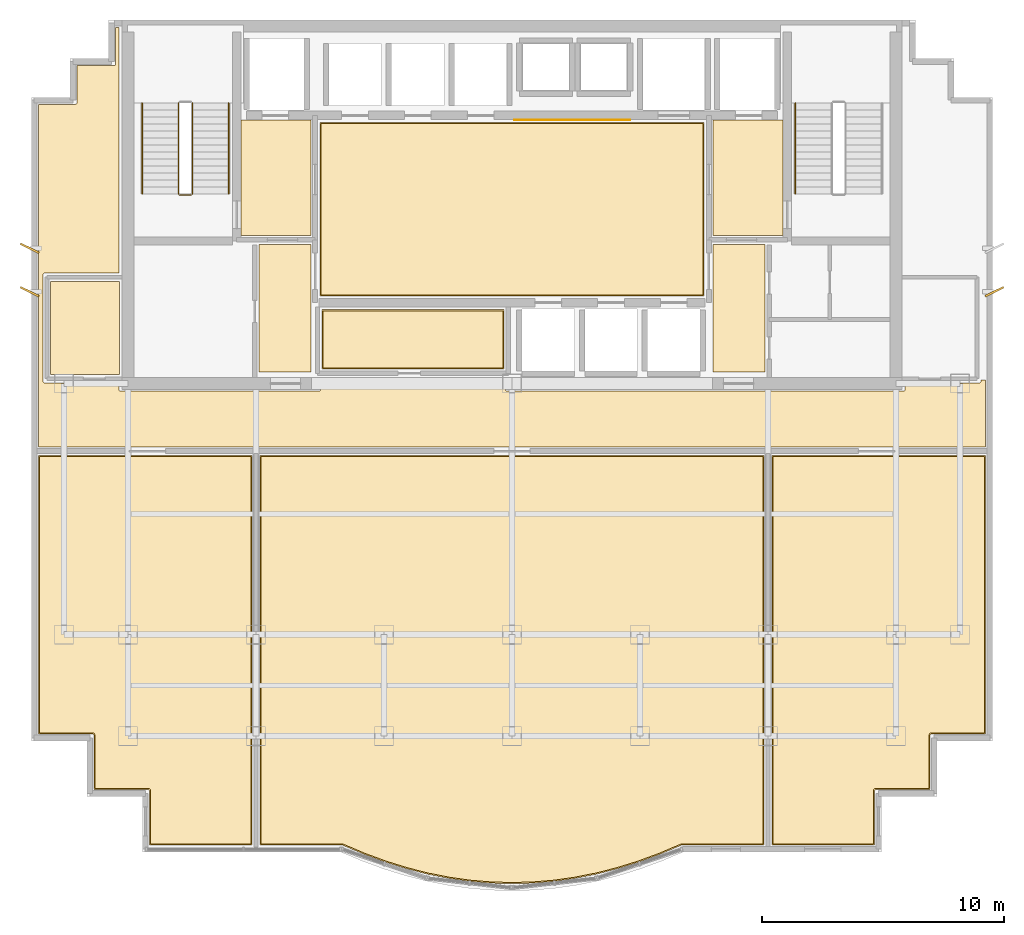
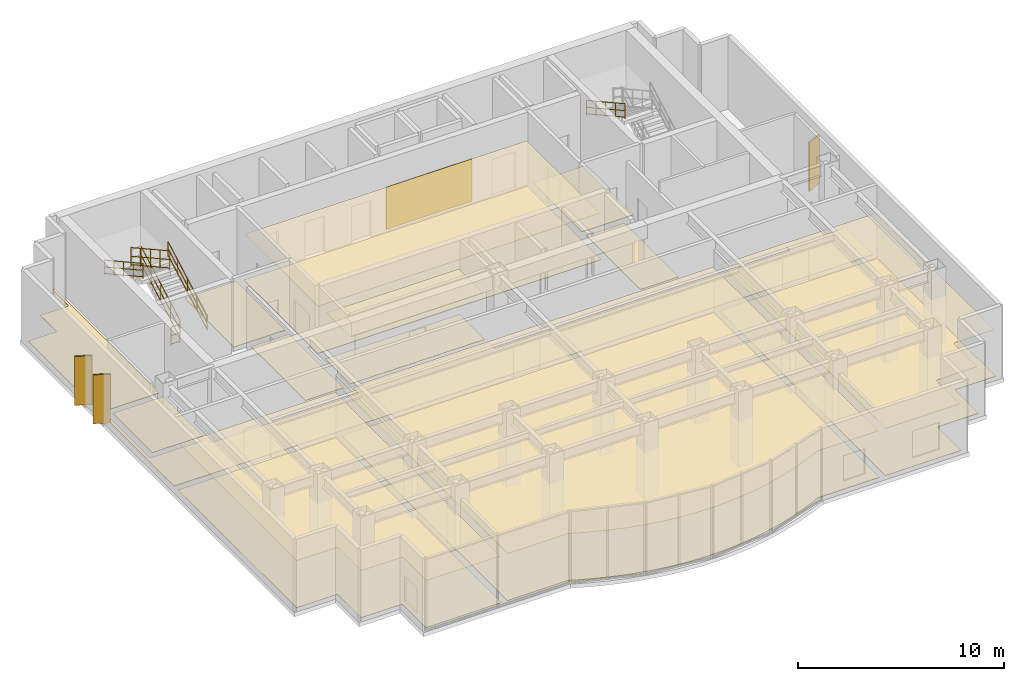
# One storey, part 7 of 8: 17 coverings, 6 railings, 3 shading devices.
"""IFC4 building model written with IfcOpenShell, lengths in metres."""

from ifc_helpers import new_model, si_unit, direction, frame, origin, origin_2d, place, context, subcontext, project, spatial, polyline, rectangle, circle, outline, extrude, source, transform, mapped, material, layer, layer_set, type_object, element, save


model = new_model("IFC4")

# Units and contexts
model_context = context("Model", 3, precision=1e-05, world=origin(), true_north=direction((0.0, 1.0)))
body_context = subcontext(model_context, "Body", "Model", "MODEL_VIEW")
ifc_project = project(units=[si_unit("LENGTHUNIT", "METRE"), si_unit("AREAUNIT", "SQUARE_METRE"), si_unit("VOLUMEUNIT", "CUBIC_METRE"), si_unit("PLANEANGLEUNIT", "RADIAN"), si_unit("MASSUNIT", "GRAM", prefix="KILO")], contexts=[model_context])

# Site, building, storey
site_placement = place(None, origin())
site = spatial("IfcSite", under=ifc_project, at=site_placement, CompositionType="ELEMENT")
building_placement = place(site_placement, origin())
building = spatial("IfcBuilding", under=site, at=building_placement, Name="Qianlan Lanfeng Residences", CompositionType="ELEMENT")
storey_placement = place(building_placement, frame((0.0, 0.0, 192.199951171875)))
storey = spatial("IfcBuildingStorey", under=building, at=storey_placement, Name="L52", CompositionType="ELEMENT", Elevation=192.199951171875)

# Coverings
ifc_material_1 = material(Name="Anodised Bronze Feature Wall Cladding")
ifc_layer_1 = layer(ifc_material_1, 0.02490234375)
ifc_layer_set_1 = layer_set([ifc_layer_1], Name="Anodised Bronze Feature Wall Cladding")
covering_type_1 = type_object("IfcCoveringType", Name="CLD-BRZ-25", PredefinedType="CLADDING", material=ifc_layer_set_1)
covering_1_placement = place(storey_placement, frame((0.0, 0.0, 0.150146484375)))
element("IfcCovering", 1, at=covering_1_placement, inside=storey, type_object=covering_type_1, Name="L52 Lift Lobby Bronze Feature Cladding", PredefinedType="CLADDING", context=body_context, shape_type="SweptSolid", body=[
    extrude(outline(polyline([(26.60009765625, 36.10009765625), (31.39990234375, 36.10009765625), (31.39990234375, 36.125), (26.60009765625, 36.125), (26.60009765625, 36.10009765625)])), origin(), (0.0, 0.0, 1.0), 2.5),
])
ifc_material_2 = material(Name="Acoustic Perforated Gypsum Ceiling Board")
ifc_layer_2 = layer(ifc_material_2, 0.02001953125)
ifc_layer_set_2 = layer_set([ifc_layer_2], Name="Acoustic Perforated Gypsum Ceiling Board")
covering_type_2 = type_object("IfcCoveringType", Name="CLG-GYP-15", PredefinedType="CEILING", material=ifc_layer_set_2)
covering_2_placement = place(storey_placement, frame((0.0, 0.0, 2.75)))
element("IfcCovering", 2, at=covering_2_placement, inside=storey, type_object=covering_type_2, Name="L52 Lift Lobby Suspended Ceiling", PredefinedType="CEILING", context=body_context, shape_type="SweptSolid", body=[
    extrude(outline(polyline([(18.60009765625, 28.8701171875), (34.39990234375, 28.8701171875), (34.39990234375, 35.9599609375), (18.60009765625, 35.9599609375), (18.60009765625, 28.8701171875)])), origin(), (0.0, 0.0, 1.0), 0.02001953125),
])
covering_3_placement = place(storey_placement, frame((0.0, 0.0, 2.75)))
element("IfcCovering", 3, at=covering_3_placement, inside=storey, type_object=covering_type_2, Name="L52 Resident Reading Lounge Suspended Ceiling", PredefinedType="CEILING", context=body_context, shape_type="SweptSolid", body=[
    extrude(outline(polyline([(18.679931640625, 25.85009765625), (26.1201171875, 25.85009765625), (26.1201171875, 28.205078125), (18.679931640625, 28.205078125), (18.679931640625, 25.85009765625)])), origin(), (0.0, 0.0, 1.0), 0.02001953125),
])
covering_4_placement = place(storey_placement, frame((0.0, 0.0, 2.75)))
element("IfcCovering", 4, at=covering_4_placement, inside=storey, type_object=covering_type_2, Name="L52 Executive Wine Salon Suspended Ceiling", PredefinedType="CEILING", context=body_context, shape_type="SweptSolid", body=[
    extrude(outline(polyline([(15.68994140625, 22.169921875), (6.93994140625, 22.169921875), (6.93994140625, 10.739990234375), (9.1201171875, 10.739990234375), (9.132080078125, 10.739013671875), (9.14306640625, 10.738037109375), (9.155029296875, 10.735107421875), (9.166015625, 10.73095703125), (9.177001953125, 10.72607421875), (9.18701171875, 10.719970703125), (9.196044921875, 10.712890625), (9.205078125, 10.705078125), (9.212890625, 10.696044921875), (9.219970703125, 10.68701171875), (9.22607421875, 10.677001953125), (9.23095703125, 10.666015625), (9.235107421875, 10.655029296875), (9.238037109375, 10.64306640625), (9.239013671875, 10.632080078125), (9.239990234375, 10.6201171875), (9.239990234375, 8.43994140625), (11.419921875, 8.43994140625), (11.431884765625, 8.43896484375), (11.443115234375, 8.43798828125), (11.455078125, 8.43505859375), (11.466064453125, 8.430908203125), (11.47705078125, 8.426025390625), (11.487060546875, 8.419921875), (11.49609375, 8.4130859375), (11.5048828125, 8.405029296875), (11.512939453125, 8.39599609375), (11.52001953125, 8.386962890625), (11.52587890625, 8.376953125), (11.531005859375, 8.365966796875), (11.534912109375, 8.35498046875), (11.5380859375, 8.343017578125), (11.5390625, 8.33203125), (11.5400390625, 8.320068359375), (11.5400390625, 6.139892578125), (15.68994140625, 6.139892578125), (15.68994140625, 22.169921875)])), origin(), (0.0, 0.0, 1.0), 0.02001953125),
])
covering_5_placement = place(storey_placement, frame((0.0, 0.0, 2.75)))
element("IfcCovering", 5, at=covering_5_placement, inside=storey, type_object=covering_type_2, Name="L52 Harbour Viewing Lounge Suspended Ceiling", PredefinedType="CEILING", context=body_context, shape_type="SweptSolid", body=[
    extrude(outline(polyline([(16.110107421875, 22.169921875), (16.110107421875, 6.139892578125), (19.465087890625, 6.139892578125), (19.47705078125, 6.138916015625), (19.489013671875, 6.137939453125), (19.5, 6.135009765625), (19.511962890625, 6.1298828125), (20.429931640625, 5.740966796875), (21.299072265625, 5.422119140625), (22.1669921875, 5.152099609375), (23.034912109375, 4.931884765625), (23.902099609375, 4.760009765625), (24.76806640625, 4.637939453125), (25.634033203125, 4.56494140625), (26.5, 4.5400390625), (27.365966796875, 4.56494140625), (28.23193359375, 4.637939453125), (29.097900390625, 4.760009765625), (29.965087890625, 4.931884765625), (30.8330078125, 5.152099609375), (31.700927734375, 5.422119140625), (32.570068359375, 5.740966796875), (33.488037109375, 6.1298828125), (33.5, 6.135009765625), (33.510986328125, 6.137939453125), (33.52294921875, 6.138916015625), (33.534912109375, 6.139892578125), (36.889892578125, 6.139892578125), (36.889892578125, 22.169921875), (16.110107421875, 22.169921875)])), origin(), (0.0, 0.0, 1.0), 0.02001953125),
])
covering_6_placement = place(storey_placement, frame((0.0, 0.0, 2.75)))
element("IfcCovering", 6, at=covering_6_placement, inside=storey, type_object=covering_type_2, Name="L52 Conservatory Salon Suspended Ceiling", PredefinedType="CEILING", context=body_context, shape_type="SweptSolid", body=[
    extrude(outline(polyline([(37.31005859375, 22.169921875), (37.31005859375, 6.139892578125), (41.4599609375, 6.139892578125), (41.4599609375, 8.320068359375), (41.4609375, 8.33203125), (41.4619140625, 8.343017578125), (41.465087890625, 8.35498046875), (41.468994140625, 8.365966796875), (41.47412109375, 8.376953125), (41.47998046875, 8.386962890625), (41.487060546875, 8.39599609375), (41.4951171875, 8.405029296875), (41.50390625, 8.4130859375), (41.512939453125, 8.419921875), (41.52294921875, 8.426025390625), (41.533935546875, 8.430908203125), (41.544921875, 8.43505859375), (41.556884765625, 8.43798828125), (41.568115234375, 8.43896484375), (41.580078125, 8.43994140625), (43.760009765625, 8.43994140625), (43.760009765625, 10.6201171875), (43.760986328125, 10.632080078125), (43.761962890625, 10.64306640625), (43.764892578125, 10.655029296875), (43.76904296875, 10.666015625), (43.77392578125, 10.677001953125), (43.780029296875, 10.68701171875), (43.787109375, 10.696044921875), (43.794921875, 10.705078125), (43.803955078125, 10.712890625), (43.81298828125, 10.719970703125), (43.822998046875, 10.72607421875), (43.833984375, 10.73095703125), (43.844970703125, 10.735107421875), (43.85693359375, 10.738037109375), (43.867919921875, 10.739013671875), (43.8798828125, 10.739990234375), (46.06005859375, 10.739990234375), (46.06005859375, 22.169921875), (37.31005859375, 22.169921875)])), origin(), (0.0, 0.0, 1.0), 0.02001953125),
])
ifc_material_3 = material(Name="Honed Taitung Granite Stone Flooring", Category="masonry")
ifc_layer_3 = layer(ifc_material_3, 0.030029296875)
ifc_layer_set_3 = layer_set([ifc_layer_3], Name="Honed Taitung Granite Stone Flooring")
covering_type_3 = type_object("IfcCoveringType", Name="FLR-STN-30", PredefinedType="FLOORING", material=ifc_layer_set_3)
covering_7_placement = place(storey_placement, origin())
element("IfcCovering", 7, at=covering_7_placement, inside=storey, type_object=covering_type_3, Name="L52 Firefighting Lift Lobby Floor Finish", PredefinedType="FLOORING", context=body_context, shape_type="SweptSolid", body=[
    extrude(outline(polyline([(15.2900390625, 31.320068359375), (18.179931640625, 31.320068359375), (18.179931640625, 36.110107421875), (15.2900390625, 36.110107421875), (15.2900390625, 31.320068359375)])), origin(), (0.0, 0.0, 1.0), 0.030029296875),
])
covering_8_placement = place(storey_placement, origin())
element("IfcCovering", 8, at=covering_8_placement, inside=storey, type_object=covering_type_3, Name="L52 Firefighting Lift Lobby Floor Finish", PredefinedType="FLOORING", context=body_context, shape_type="SweptSolid", body=[
    extrude(outline(polyline([(34.820068359375, 31.320068359375), (37.7099609375, 31.320068359375), (37.7099609375, 36.110107421875), (34.820068359375, 36.110107421875), (34.820068359375, 31.320068359375)])), origin(), (0.0, 0.0, 1.0), 0.030029296875),
])
covering_9_placement = place(storey_placement, origin())
element("IfcCovering", 9, at=covering_9_placement, inside=storey, type_object=covering_type_3, Name="L52 Lift Lobby Floor Finish", PredefinedType="FLOORING", context=body_context, shape_type="SweptSolid", body=[
    extrude(outline(polyline([(18.550048828125, 28.820068359375), (34.449951171875, 28.820068359375), (34.449951171875, 36.010009765625), (18.550048828125, 36.010009765625), (18.550048828125, 28.820068359375)])), origin(), (0.0, 0.0, 1.0), 0.030029296875),
])
covering_10_placement = place(storey_placement, origin())
element("IfcCovering", 10, at=covering_10_placement, inside=storey, type_object=covering_type_3, Name="L52 Harbour Viewing Lounge Floor Finish", PredefinedType="FLOORING", context=body_context, shape_type="SweptSolid", body=[
    extrude(outline(polyline([(16.06005859375, 22.219970703125), (16.06005859375, 6.090087890625), (19.465087890625, 6.090087890625), (19.471923828125, 6.090087890625), (19.47900390625, 6.089111328125), (19.485107421875, 6.0869140625), (19.491943359375, 6.083984375), (20.412109375, 5.695068359375), (21.282958984375, 5.375), (22.154052734375, 5.10400390625), (23.02392578125, 4.883056640625), (23.89306640625, 4.7109375), (24.762939453125, 4.587890625), (25.631103515625, 4.514892578125), (26.5, 4.489990234375), (27.368896484375, 4.514892578125), (28.237060546875, 4.587890625), (29.10693359375, 4.7109375), (29.97607421875, 4.883056640625), (30.845947265625, 5.10400390625), (31.717041015625, 5.375), (32.587890625, 5.695068359375), (33.508056640625, 6.083984375), (33.514892578125, 6.0869140625), (33.52099609375, 6.089111328125), (33.528076171875, 6.090087890625), (33.534912109375, 6.090087890625), (36.93994140625, 6.090087890625), (36.93994140625, 22.219970703125), (16.06005859375, 22.219970703125)])), origin(), (0.0, 0.0, 1.0), 0.030029296875),
])
covering_11_placement = place(storey_placement, origin())
element("IfcCovering", 11, at=covering_11_placement, inside=storey, type_object=covering_type_3, Name="L52 Sky Transfer Lobby Floor Finish", PredefinedType="FLOORING", context=body_context, shape_type="SweptSolid", body=[
    extrude(outline(polyline([(46.110107421875, 25.35009765625), (45.919921875, 25.35009765625), (45.919921875, 25.300048828125), (45.919921875, 25.29296875), (45.9189453125, 25.285888671875), (45.9169921875, 25.280029296875), (45.9150390625, 25.27294921875), (45.912109375, 25.26708984375), (45.907958984375, 25.260986328125), (45.904052734375, 25.256103515625), (45.89892578125, 25.2509765625), (45.89404296875, 25.24609375), (45.888916015625, 25.241943359375), (45.883056640625, 25.238037109375), (45.876953125, 25.235107421875), (45.8701171875, 25.23291015625), (45.864013671875, 25.23095703125), (45.85693359375, 25.22998046875), (45.85009765625, 25.22998046875), (42.77001953125, 25.22998046875), (42.77001953125, 24.949951171875), (42.77001953125, 24.943115234375), (42.76904296875, 24.93603515625), (42.76708984375, 24.929931640625), (42.764892578125, 24.923095703125), (42.761962890625, 24.9169921875), (42.758056640625, 24.910888671875), (42.75390625, 24.906005859375), (42.7490234375, 24.90087890625), (42.743896484375, 24.89599609375), (42.739013671875, 24.89208984375), (42.73291015625, 24.887939453125), (42.72705078125, 24.885009765625), (42.719970703125, 24.883056640625), (42.714111328125, 24.881103515625), (42.70703125, 24.8798828125), (42.699951171875, 24.8798828125), (26.300048828125, 24.8798828125), (26.29296875, 24.8798828125), (26.285888671875, 24.881103515625), (26.280029296875, 24.883056640625), (26.27294921875, 24.885009765625), (26.26708984375, 24.887939453125), (26.260986328125, 24.89208984375), (26.256103515625, 24.89599609375), (26.2509765625, 24.90087890625), (26.24609375, 24.906005859375), (26.241943359375, 24.910888671875), (26.238037109375, 24.9169921875), (26.235107421875, 24.923095703125), (26.23291015625, 24.929931640625), (26.23095703125, 24.93603515625), (26.22998046875, 24.943115234375), (26.22998046875, 24.949951171875), (26.22998046875, 25.429931640625), (18.570068359375, 25.429931640625), (18.570068359375, 24.949951171875), (18.570068359375, 24.943115234375), (18.569091796875, 24.93603515625), (18.56689453125, 24.929931640625), (18.56494140625, 24.923095703125), (18.56201171875, 24.9169921875), (18.55810546875, 24.910888671875), (18.553955078125, 24.906005859375), (18.549072265625, 24.90087890625), (18.5439453125, 24.89599609375), (18.5390625, 24.89208984375), (18.532958984375, 24.887939453125), (18.527099609375, 24.885009765625), (18.52001953125, 24.883056640625), (18.513916015625, 24.881103515625), (18.507080078125, 24.8798828125), (18.5, 24.8798828125), (10.300048828125, 24.8798828125), (10.29296875, 24.8798828125), (10.285888671875, 24.881103515625), (10.280029296875, 24.883056640625), (10.27294921875, 24.885009765625), (10.26708984375, 24.887939453125), (10.260986328125, 24.89208984375), (10.256103515625, 24.89599609375), (10.2509765625, 24.90087890625), (10.24609375, 24.906005859375), (10.241943359375, 24.910888671875), (10.238037109375, 24.9169921875), (10.235107421875, 24.923095703125), (10.23291015625, 24.929931640625), (10.23095703125, 24.93603515625), (10.22998046875, 24.943115234375), (10.22998046875, 24.949951171875), (10.22998046875, 25.22998046875), (7.14990234375, 25.22998046875), (7.14306640625, 25.22998046875), (7.135986328125, 25.23095703125), (7.1298828125, 25.23291015625), (7.123046875, 25.235107421875), (7.116943359375, 25.238037109375), (7.111083984375, 25.241943359375), (7.10595703125, 25.24609375), (7.10107421875, 25.2509765625), (7.095947265625, 25.256103515625), (7.092041015625, 25.260986328125), (7.087890625, 25.26708984375), (7.0849609375, 25.27294921875), (7.0830078125, 25.280029296875), (7.0810546875, 25.285888671875), (7.080078125, 25.29296875), (7.080078125, 25.300048828125), (7.080078125, 29.699951171875), (7.080078125, 29.70703125), (7.0810546875, 29.714111328125), (7.0830078125, 29.719970703125), (7.0849609375, 29.72705078125), (7.087890625, 29.73291015625), (7.092041015625, 29.739013671875), (7.095947265625, 29.743896484375), (7.10107421875, 29.7490234375), (7.10595703125, 29.75390625), (7.111083984375, 29.758056640625), (7.116943359375, 29.761962890625), (7.123046875, 29.764892578125), (7.1298828125, 29.76708984375), (7.135986328125, 29.76904296875), (7.14306640625, 29.77001953125), (7.14990234375, 29.77001953125), (10.22998046875, 29.77001953125), (10.22998046875, 39.929931640625), (10.090087890625, 39.929931640625), (10.090087890625, 38.429931640625), (10.090087890625, 38.423095703125), (10.089111328125, 38.416015625), (10.0869140625, 38.409912109375), (10.0849609375, 38.403076171875), (10.08203125, 38.39697265625), (10.077880859375, 38.39111328125), (10.073974609375, 38.385986328125), (10.069091796875, 38.381103515625), (10.06396484375, 38.3759765625), (10.05908203125, 38.3720703125), (10.052978515625, 38.367919921875), (10.047119140625, 38.364990234375), (10.0400390625, 38.363037109375), (10.033935546875, 38.361083984375), (10.027099609375, 38.360107421875), (10.02001953125, 38.360107421875), (8.489990234375, 38.360107421875), (8.489990234375, 36.830078125), (8.489990234375, 36.822998046875), (8.489013671875, 36.81591796875), (8.487060546875, 36.81005859375), (8.485107421875, 36.802978515625), (8.48193359375, 36.797119140625), (8.47802734375, 36.791015625), (8.47412109375, 36.785888671875), (8.468994140625, 36.781005859375), (8.464111328125, 36.77587890625), (8.458984375, 36.77197265625), (8.452880859375, 36.76806640625), (8.447021484375, 36.764892578125), (8.43994140625, 36.762939453125), (8.43408203125, 36.760986328125), (8.427001953125, 36.760009765625), (8.419921875, 36.760009765625), (6.889892578125, 36.760009765625), (6.889892578125, 22.580078125), (46.110107421875, 22.580078125), (46.110107421875, 25.35009765625)])), origin(), (0.0, 0.0, 1.0), 0.030029296875),
])
covering_12_placement = place(storey_placement, origin())
element("IfcCovering", 12, at=covering_12_placement, inside=storey, type_object=covering_type_3, Name="L52 Lift Lobby Floor Finish", PredefinedType="FLOORING", context=body_context, shape_type="SweptSolid", body=[
    extrude(outline(polyline([(16.030029296875, 25.669921875), (18.169921875, 25.669921875), (18.169921875, 30.949951171875), (16.030029296875, 30.949951171875), (16.030029296875, 25.669921875)])), origin(), (0.0, 0.0, 1.0), 0.030029296875),
])
covering_13_placement = place(storey_placement, origin())
element("IfcCovering", 13, at=covering_13_placement, inside=storey, type_object=covering_type_3, Name="L52 Lift Lobby Floor Finish", PredefinedType="FLOORING", context=body_context, shape_type="SweptSolid", body=[
    extrude(outline(polyline([(34.830078125, 25.669921875), (36.969970703125, 25.669921875), (36.969970703125, 30.949951171875), (34.830078125, 30.949951171875), (34.830078125, 25.669921875)])), origin(), (0.0, 0.0, 1.0), 0.030029296875),
])
ifc_material_4 = material(Name="Slip-Resistant Porcelain Tile Flooring")
ifc_layer_4 = layer(ifc_material_4, 0.02001953125)
ifc_layer_set_4 = layer_set([ifc_layer_4], Name="Slip-Resistant Porcelain Tile Flooring")
covering_type_4 = type_object("IfcCoveringType", Name="FLR-TIL-20", PredefinedType="FLOORING", material=ifc_layer_set_4)
covering_14_placement = place(storey_placement, origin())
element("IfcCovering", 14, at=covering_14_placement, inside=storey, type_object=covering_type_4, Name="L52 Public Restroom Floor Finish", PredefinedType="FLOORING", context=body_context, shape_type="SweptSolid", body=[
    extrude(outline(polyline([(7.39990234375, 25.570068359375), (10.239990234375, 25.570068359375), (10.239990234375, 29.429931640625), (7.39990234375, 29.429931640625), (7.39990234375, 25.570068359375)])), origin(), (0.0, 0.0, 1.0), 0.02001953125),
])
ifc_material_5 = material(Name="Engineered Smoked Oak Timber Flooring", Category="wood")
ifc_layer_5 = layer(ifc_material_5, 0.02197265625)
ifc_layer_set_5 = layer_set([ifc_layer_5], Name="Engineered Smoked Oak Timber Flooring")
covering_type_5 = type_object("IfcCoveringType", Name="FLR-TIM-22", PredefinedType="FLOORING", material=ifc_layer_set_5)
covering_15_placement = place(storey_placement, origin())
element("IfcCovering", 15, at=covering_15_placement, inside=storey, type_object=covering_type_5, Name="L52 Resident Reading Lounge Floor Finish", PredefinedType="FLOORING", context=body_context, shape_type="SweptSolid", body=[
    extrude(outline(polyline([(18.6298828125, 25.800048828125), (26.169921875, 25.800048828125), (26.169921875, 28.2548828125), (18.6298828125, 28.2548828125), (18.6298828125, 25.800048828125)])), origin(), (0.0, 0.0, 1.0), 0.02197265625),
])
covering_16_placement = place(storey_placement, origin())
element("IfcCovering", 16, at=covering_16_placement, inside=storey, type_object=covering_type_5, Name="L52 Executive Wine Salon Floor Finish", PredefinedType="FLOORING", context=body_context, shape_type="SweptSolid", body=[
    extrude(outline(polyline([(15.739990234375, 22.219970703125), (6.889892578125, 22.219970703125), (6.889892578125, 10.68994140625), (9.1201171875, 10.68994140625), (9.126953125, 10.68994140625), (9.134033203125, 10.68896484375), (9.139892578125, 10.68701171875), (9.14697265625, 10.68505859375), (9.153076171875, 10.681884765625), (9.158935546875, 10.677978515625), (9.1640625, 10.674072265625), (9.1689453125, 10.6689453125), (9.174072265625, 10.6640625), (9.177978515625, 10.658935546875), (9.181884765625, 10.653076171875), (9.18505859375, 10.64697265625), (9.18701171875, 10.639892578125), (9.18896484375, 10.634033203125), (9.18994140625, 10.626953125), (9.18994140625, 10.6201171875), (9.18994140625, 8.389892578125), (11.419921875, 8.389892578125), (11.427001953125, 8.389892578125), (11.43408203125, 8.388916015625), (11.43994140625, 8.386962890625), (11.447021484375, 8.385009765625), (11.452880859375, 8.382080078125), (11.458984375, 8.3779296875), (11.464111328125, 8.3740234375), (11.468994140625, 8.368896484375), (11.47412109375, 8.364013671875), (11.47802734375, 8.35888671875), (11.48193359375, 8.35302734375), (11.485107421875, 8.346923828125), (11.487060546875, 8.340087890625), (11.489013671875, 8.333984375), (11.489990234375, 8.326904296875), (11.489990234375, 8.320068359375), (11.489990234375, 6.090087890625), (15.739990234375, 6.090087890625), (15.739990234375, 22.219970703125)])), origin(), (0.0, 0.0, 1.0), 0.02197265625),
])
covering_17_placement = place(storey_placement, origin())
element("IfcCovering", 17, at=covering_17_placement, inside=storey, type_object=covering_type_5, Name="L52 Conservatory Salon Floor Finish", PredefinedType="FLOORING", context=body_context, shape_type="SweptSolid", body=[
    extrude(outline(polyline([(37.260009765625, 22.219970703125), (37.260009765625, 6.090087890625), (41.510009765625, 6.090087890625), (41.510009765625, 8.320068359375), (41.510009765625, 8.326904296875), (41.510986328125, 8.333984375), (41.512939453125, 8.340087890625), (41.514892578125, 8.346923828125), (41.51806640625, 8.35302734375), (41.52197265625, 8.35888671875), (41.52587890625, 8.364013671875), (41.531005859375, 8.368896484375), (41.535888671875, 8.3740234375), (41.541015625, 8.3779296875), (41.547119140625, 8.382080078125), (41.552978515625, 8.385009765625), (41.56005859375, 8.386962890625), (41.56591796875, 8.388916015625), (41.572998046875, 8.389892578125), (41.580078125, 8.389892578125), (43.81005859375, 8.389892578125), (43.81005859375, 10.6201171875), (43.81005859375, 10.626953125), (43.81103515625, 10.634033203125), (43.81298828125, 10.639892578125), (43.81494140625, 10.64697265625), (43.818115234375, 10.653076171875), (43.822021484375, 10.658935546875), (43.825927734375, 10.6640625), (43.8310546875, 10.6689453125), (43.8359375, 10.674072265625), (43.841064453125, 10.677978515625), (43.846923828125, 10.681884765625), (43.85302734375, 10.68505859375), (43.860107421875, 10.68701171875), (43.865966796875, 10.68896484375), (43.873046875, 10.68994140625), (43.8798828125, 10.68994140625), (46.110107421875, 10.68994140625), (46.110107421875, 22.219970703125), (37.260009765625, 22.219970703125)])), origin(), (0.0, 0.0, 1.0), 0.02197265625),
])

# Railings
ifc_material_6 = material(Name="Painted Galvanised Steel Guardrail", Category="steel")
railing_type_1 = type_object("IfcRailingType", Name="GR-ST-1120", PredefinedType="GUARDRAIL", material=ifc_material_6)
railing_1_placement = place(storey_placement, frame((13.27001953125, 33.050048828125, 0.16064453125)))
element("IfcRailing", 18, at=railing_1_placement, inside=storey, type_object=railing_type_1, Name="L52 ST-1 stair guard 1", PredefinedType="GUARDRAIL", context=body_context, shape_type="SweptSolid", body=[
    extrude(circle(Radius=0.02392578125, at=origin_2d()), frame((0.0, 0.0, 0.083984375), z_axis=(0.0, 0.874659101714, 0.484738543742), x_axis=(-1.0, 0.0, 0.0)), (0.0, 0.0, 1.0), 4.310302734375),
    extrude(circle(Radius=0.02392578125, at=origin_2d()), frame((0.0, 0.0, 0.58251953125), z_axis=(0.0, 0.874659101714, 0.484738543742), x_axis=(-1.0, 0.0, 0.0)), (0.0, 0.0, 1.0), 4.310302734375),
    extrude(circle(Radius=0.02392578125, at=origin_2d()), frame((0.0, 0.0, 1.09619140625), z_axis=(0.0, 0.874659101714, 0.484738543742), x_axis=(-1.0, 0.0, 0.0)), (0.0, 0.0, 1.0), 4.310302734375),
    extrude(circle(Radius=0.02099609375, at=origin_2d()), origin(), (0.0, 0.0, 1.0), 1.072021484375),
    extrude(circle(Radius=0.02099609375, at=origin_2d()), frame((0.0, 0.9423828125, 0.5224609375)), (0.0, 0.0, 1.0), 1.072021484375),
    extrude(circle(Radius=0.02099609375, at=origin_2d()), frame((0.0, 1.885009765625, 1.044677734375)), (0.0, 0.0, 1.0), 1.072021484375),
    extrude(circle(Radius=0.02099609375, at=origin_2d()), frame((0.0, 2.82763671875, 1.56689453125)), (0.0, 0.0, 1.0), 1.072021484375),
    extrude(circle(Radius=0.02099609375, at=origin_2d()), frame((0.0, 3.77001953125, 2.08935546875)), (0.0, 0.0, 1.0), 1.072021484375),
])
railing_2_placement = place(storey_placement, frame((12.68994140625, 36.820068359375, 2.41064453125)))
element("IfcRailing", 19, at=railing_2_placement, inside=storey, type_object=railing_type_1, Name="L52 ST-1 stair guard 3", PredefinedType="GUARDRAIL", context=body_context, shape_type="SweptSolid", body=[
    extrude(circle(Radius=0.02392578125, at=origin_2d()), frame((0.0, 0.0, 0.083984375), z_axis=(0.0, -0.874659101714, 0.484738543742), x_axis=(1.0, 0.0, 0.0)), (0.0, 0.0, 1.0), 4.310302734375),
    extrude(circle(Radius=0.02392578125, at=origin_2d()), frame((0.0, 0.0, 0.58251953125), z_axis=(0.0, -0.874659101714, 0.484738543742), x_axis=(1.0, 0.0, 0.0)), (0.0, 0.0, 1.0), 4.310302734375),
    extrude(circle(Radius=0.02392578125, at=origin_2d()), frame((0.0, 0.0, 1.09619140625), z_axis=(0.0, -0.874659101714, 0.484738543742), x_axis=(1.0, 0.0, 0.0)), (0.0, 0.0, 1.0), 4.310302734375),
    extrude(circle(Radius=0.02099609375, at=origin_2d()), origin(), (0.0, 0.0, 1.0), 1.072021484375),
    extrude(circle(Radius=0.02099609375, at=origin_2d()), frame((0.0, -0.9423828125, 0.5224609375)), (0.0, 0.0, 1.0), 1.072021484375),
    extrude(circle(Radius=0.02099609375, at=origin_2d()), frame((0.0, -1.885009765625, 1.044677734375)), (0.0, 0.0, 1.0), 1.072021484375),
    extrude(circle(Radius=0.02099609375, at=origin_2d()), frame((0.0, -2.82763671875, 1.56689453125)), (0.0, 0.0, 1.0), 1.072021484375),
    extrude(circle(Radius=0.02099609375, at=origin_2d()), frame((0.0, -3.77001953125, 2.08935546875)), (0.0, 0.0, 1.0), 1.072021484375),
])
railing_3_placement = place(storey_placement, frame((13.219970703125, 33.0, 0.0)))
element("IfcRailing", 20, at=railing_3_placement, inside=storey, type_object=railing_type_1, Name="L52 ST-1 stair guard 4", PredefinedType="GUARDRAIL", context=body_context, shape_type="SweptSolid", body=[
    extrude(circle(Radius=0.02392578125, at=origin_2d()), frame((0.0, 0.0, 0.083984375), z_axis=(-1.0, 0.0, 0.0), x_axis=(0.0, -1.0, 0.0)), (0.0, 0.0, 1.0), 0.47998046875),
    extrude(circle(Radius=0.02392578125, at=origin_2d()), frame((0.0, 0.0, 0.58251953125), z_axis=(-1.0, 0.0, 0.0), x_axis=(0.0, -1.0, 0.0)), (0.0, 0.0, 1.0), 0.47998046875),
    extrude(circle(Radius=0.02392578125, at=origin_2d()), frame((0.0, 0.0, 1.09619140625), z_axis=(-1.0, 0.0, 0.0), x_axis=(0.0, -1.0, 0.0)), (0.0, 0.0, 1.0), 0.47998046875),
    extrude(circle(Radius=0.02099609375, at=origin_2d()), origin(), (0.0, 0.0, 1.0), 1.072021484375),
    extrude(circle(Radius=0.02099609375, at=origin_2d()), frame((-0.47998046875, 0.0, 0.0)), (0.0, 0.0, 1.0), 1.072021484375),
])
ifc_material_7 = material(Name="Brushed Stainless Steel Handrail", Category="steel")
railing_type_2 = type_object("IfcRailingType", Name="HR-ST-920", PredefinedType="HANDRAIL", material=ifc_material_7)
railing_4_placement = place(storey_placement, frame((14.77001953125, 33.050048828125, 0.16064453125)))
element("IfcRailing", 21, at=railing_4_placement, inside=storey, type_object=railing_type_2, Name="L52 ST-1 stair handrail 1", PredefinedType="HANDRAIL", context=body_context, shape_type="SweptSolid", body=[
    extrude(circle(Radius=0.02392578125, at=origin_2d()), frame((0.0, 0.0, 0.083984375), z_axis=(0.0, 0.874659101714, 0.484738543742), x_axis=(-1.0, 0.0, 0.0)), (0.0, 0.0, 1.0), 4.310302734375),
    extrude(circle(Radius=0.02392578125, at=origin_2d()), frame((0.0, 0.0, 0.468017578125), z_axis=(0.0, 0.874659101714, 0.484738543742), x_axis=(-1.0, 0.0, 0.0)), (0.0, 0.0, 1.0), 4.310302734375),
    extrude(circle(Radius=0.02392578125, at=origin_2d()), frame((0.0, 0.0, 0.8759765625), z_axis=(0.0, 0.874659101714, 0.484738543742), x_axis=(-1.0, 0.0, 0.0)), (0.0, 0.0, 1.0), 4.310302734375),
    extrude(circle(Radius=0.02099609375, at=origin_2d()), origin(), (0.0, 0.0, 1.0), 0.851806640625),
    extrude(circle(Radius=0.02099609375, at=origin_2d()), frame((0.0, 0.9423828125, 0.5224609375)), (0.0, 0.0, 1.0), 0.851806640625),
    extrude(circle(Radius=0.02099609375, at=origin_2d()), frame((0.0, 1.885009765625, 1.044677734375)), (0.0, 0.0, 1.0), 0.851806640625),
    extrude(circle(Radius=0.02099609375, at=origin_2d()), frame((0.0, 2.82763671875, 1.56689453125)), (0.0, 0.0, 1.0), 0.851806640625),
    extrude(circle(Radius=0.02099609375, at=origin_2d()), frame((0.0, 3.77001953125, 2.08935546875)), (0.0, 0.0, 1.0), 0.851806640625),
])
for number, where, name in (
    (22, (11.18994140625, 36.820068359375, 2.41064453125), "L52 ST-1 stair handrail 2"),
    (23, (38.22998046875, 36.820068359375, 2.41064453125), "L52 ST-2 stair handrail 2"),
):
    element("IfcRailing", number, at=place(storey_placement, frame(where)), inside=storey, type_object=railing_type_2, Name=name, PredefinedType="HANDRAIL", context=body_context, shape_type="SweptSolid", body=[
        extrude(circle(Radius=0.02392578125, at=origin_2d()), frame((0.0, 0.0, 0.083984375), z_axis=(0.0, -0.874659101714, 0.484738543742), x_axis=(1.0, 0.0, 0.0)), (0.0, 0.0, 1.0), 4.310302734375),
        extrude(circle(Radius=0.02392578125, at=origin_2d()), frame((0.0, 0.0, 0.468017578125), z_axis=(0.0, -0.874659101714, 0.484738543742), x_axis=(1.0, 0.0, 0.0)), (0.0, 0.0, 1.0), 4.310302734375),
        extrude(circle(Radius=0.02392578125, at=origin_2d()), frame((0.0, 0.0, 0.8759765625), z_axis=(0.0, -0.874659101714, 0.484738543742), x_axis=(1.0, 0.0, 0.0)), (0.0, 0.0, 1.0), 4.310302734375),
        extrude(circle(Radius=0.02099609375, at=origin_2d()), origin(), (0.0, 0.0, 1.0), 0.851806640625),
        extrude(circle(Radius=0.02099609375, at=origin_2d()), frame((0.0, -0.9423828125, 0.5224609375)), (0.0, 0.0, 1.0), 0.851806640625),
        extrude(circle(Radius=0.02099609375, at=origin_2d()), frame((0.0, -1.885009765625, 1.044677734375)), (0.0, 0.0, 1.0), 0.851806640625),
        extrude(circle(Radius=0.02099609375, at=origin_2d()), frame((0.0, -2.82763671875, 1.56689453125)), (0.0, 0.0, 1.0), 0.851806640625),
        extrude(circle(Radius=0.02099609375, at=origin_2d()), frame((0.0, -3.77001953125, 2.08935546875)), (0.0, 0.0, 1.0), 0.851806640625),
    ])

# Shading devices
ifc_material_8 = material(Name="Anodised Bronze Aluminium Solar Fin", Category="aluminium")
shading_device_type = type_object("IfcShadingDeviceType", Name="FIN-BRZ-850", PredefinedType="SHUTTER", material=ifc_material_8)
shared_shape = source(origin(), body_context, "Body", "SweptSolid", [
    extrude(rectangle(XDim=0.85009765625, YDim=0.080078125, at=origin_2d()), origin(), (0.0, 0.0, 1.0), 2.89990234375),
])
for number, where, z_axis, x_axis, name in (
    (24, (6.530029296875, 29.0, 0.0), (0.0, 0.0, 1.0), (0.898794046299, -0.438371146789, 0.0), "L52 Raked Bronze Solar Fin W1"),
    (25, (6.530029296875, 30.800048828125, 0.0), (0.0, 0.0, 1.0), (0.898794046299, -0.438371146789, 0.0), "L52 Raked Bronze Solar Fin W2"),
    (26, (46.469970703125, 29.0, 0.0), (0.0, 0.0, 1.0), (0.898794046299, 0.438371146789, 0.0), "L52 Raked Bronze Solar Fin E1"),
):
    element("IfcShadingDevice", number, at=place(storey_placement, frame(where, z_axis=z_axis, x_axis=x_axis)), inside=storey, type_object=shading_device_type, Name=name, PredefinedType="SHUTTER", context=body_context, shape_type="MappedRepresentation", body=[
        mapped(shared_shape, transform((0.0, 0.0, 0.0), scale=1.0)),
    ])

save(model, "model.ifc")
